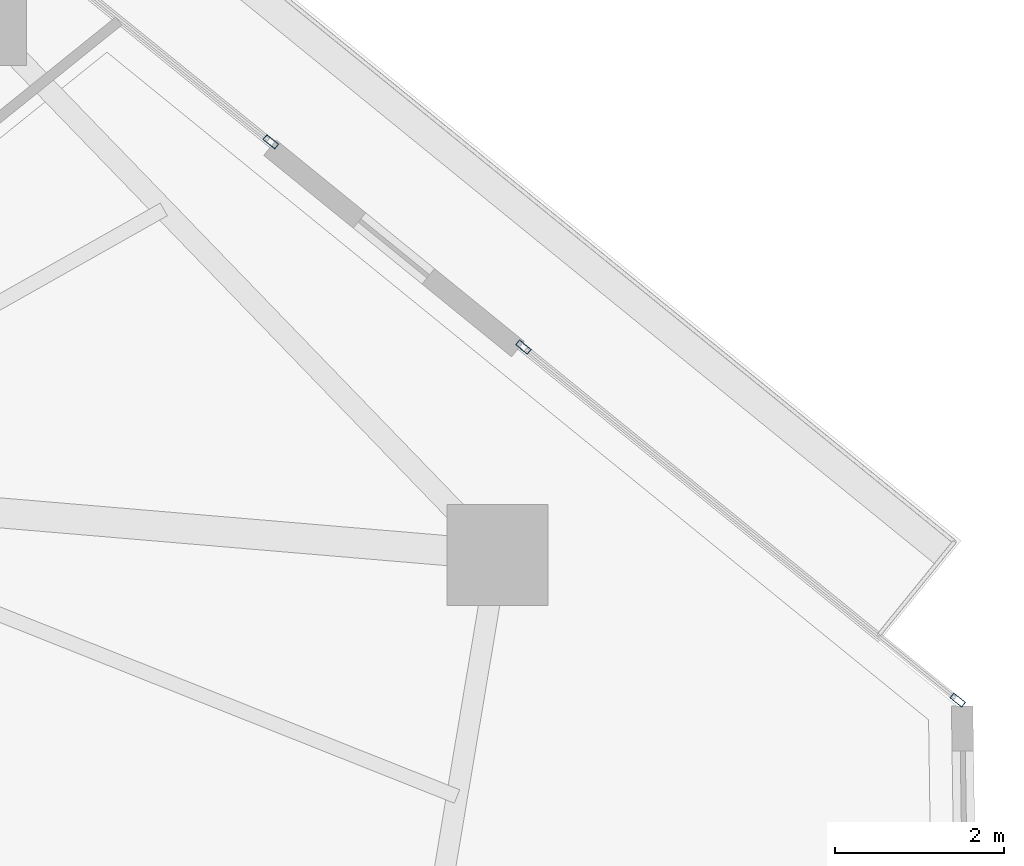
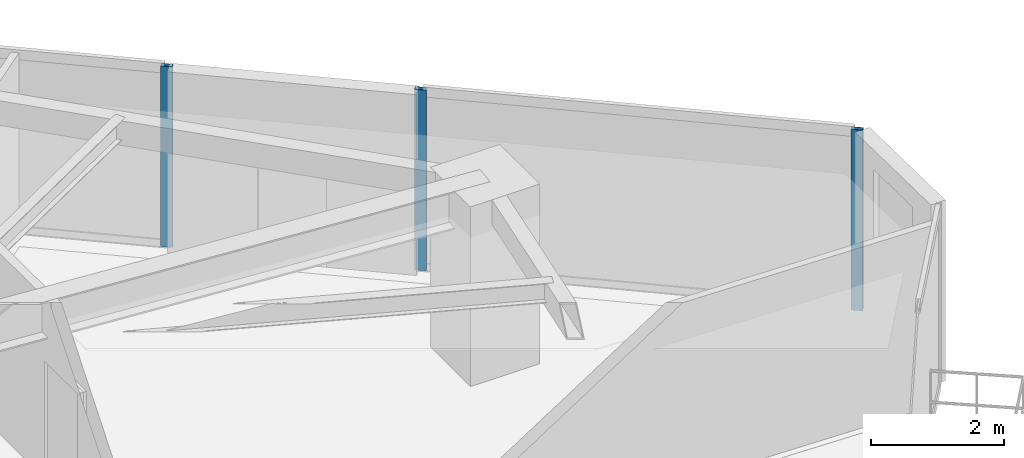
# One storey, part 14 of 23: 3 members, 2 elements without a shape of their own.
"""IFC4 building model written with IfcOpenShell, lengths in metres."""

from ifc_helpers import new_model, si_unit, direction, frame, origin, origin_2d, place, context, subcontext, project, spatial, hollow_rectangle, extrude, source, transform, mapped, material, layer, layer_set, material_profile, profile_set, type_object, type_shapes, element, aggregate, save


model = new_model("IFC4")

# Units and contexts
model_context = context("Model", 3, precision=1e-05, world=origin(), true_north=direction((0.0, 1.0)))
body_context = subcontext(model_context, "Body", "Model", "MODEL_VIEW")
ifc_project = project(units=[si_unit("LENGTHUNIT", "METRE"), si_unit("AREAUNIT", "SQUARE_METRE"), si_unit("VOLUMEUNIT", "CUBIC_METRE"), si_unit("PLANEANGLEUNIT", "RADIAN"), si_unit("MASSUNIT", "GRAM", prefix="KILO")], contexts=[model_context])

# Site, building, storey
site_placement = place(None, origin())
site = spatial("IfcSite", under=ifc_project, at=site_placement, CompositionType="ELEMENT")
building_placement = place(site_placement, origin())
building = spatial("IfcBuilding", under=site, at=building_placement, Name="Talar Marvaseh", CompositionType="ELEMENT")
storey_placement = place(building_placement, frame((0.0, 0.0, 118.199951171875)))
storey = spatial("IfcBuildingStorey", under=building, at=storey_placement, Name="L30", CompositionType="ELEMENT", Elevation=118.199951171875)

# Curtain wall, member
ifc_material = material(Name="Architectural Aluminium", Category="aluminium")
ifc_layer = layer(ifc_material, 0.199951171875)
ifc_layer_set = layer_set([ifc_layer], Name="Architectural Aluminium")
curtain_wall_type = type_object("IfcCurtainWallType", Name="Unitised Acoustic Library Curtain Wall Z2", PredefinedType="NOTDEFINED", material=ifc_layer_set)
curtain_wall_1_placement = place(storey_placement, origin())
curtain_wall_1 = element("IfcCurtainWall", 1, at=curtain_wall_1_placement, inside=storey, type_object=curtain_wall_type, Name="L30 Unitised Acoustic Library Curtain Wall Z2", PredefinedType="NOTDEFINED")
ifc_material_profile = material_profile(ifc_material, hollow_rectangle(XDim=0.074951171875, YDim=0.179931640625, WallThickness=0.0048828125, at=origin_2d()), Name="RHS180x75x5")
ifc_profile_set = profile_set([ifc_material_profile], Name="Architectural Aluminium")
member_type = type_object("IfcMemberType", Name="Unitised Curtain Wall Standard Mullion RHS180x75x5", PredefinedType="MULLION", material=ifc_profile_set)
shared_shape = source(origin(), body_context, "Body", "SweptSolid", [
    extrude(hollow_rectangle(XDim=0.074951171875, YDim=0.179931640625, WallThickness=0.0048828125, at=origin_2d()), origin(), (0.0, 0.0, 1.0), 3.31005859375),
])
type_shapes(member_type, [shared_shape])
member_1_placement = place(storey_placement, frame((40.357177734375, 40.969482421875, 0.0), z_axis=(0.0, 0.0, 1.0), x_axis=(0.630624629818, 0.776087995183, 0.0)))
member_1 = element("IfcMember", 2, at=member_1_placement, type_object=member_type, Name="CW-Z2 mullion 2", PredefinedType="MULLION", context=body_context, shape_type="MappedRepresentation", body=[
    mapped(shared_shape, transform((0.0, 0.0, 0.0), x_axis=(1.0, 0.0, 0.0), y_axis=(0.0, 1.0, 0.0), z_axis=(0.0, 0.0, 1.0), scale=1.0)),
])
aggregate(curtain_wall_1, [member_1])

# Curtain wall, members
curtain_wall_2_placement = place(storey_placement, origin())
curtain_wall_2 = element("IfcCurtainWall", 3, at=curtain_wall_2_placement, inside=storey, type_object=curtain_wall_type, Name="L30 Unitised Acoustic Library Curtain Wall Z2", PredefinedType="NOTDEFINED")
member_2_placement = place(storey_placement, frame((43.3505859375, 38.537109375, 0.0), z_axis=(0.0, 0.0, 1.0), x_axis=(0.630624629818, 0.776087995183, 0.0)))
member_2 = element("IfcMember", 4, at=member_2_placement, type_object=member_type, Name="CW-Z2 mullion 1", PredefinedType="MULLION", context=body_context, shape_type="MappedRepresentation", body=[
    mapped(shared_shape, transform((0.0, 0.0, 0.0), x_axis=(1.0, 0.0, 0.0), y_axis=(0.0, 1.0, 0.0), z_axis=(0.0, 0.0, 1.0), scale=1.0)),
])
member_3_placement = place(storey_placement, frame((48.495849609375, 34.356201171875, 0.0), z_axis=(0.0, 0.0, 1.0), x_axis=(0.630624629818, 0.776087995183, 0.0)))
member_3 = element("IfcMember", 5, at=member_3_placement, type_object=member_type, Name="CW-Z2 mullion 2", PredefinedType="MULLION", context=body_context, shape_type="MappedRepresentation", body=[
    mapped(shared_shape, transform((0.0, 0.0, 0.0), x_axis=(1.0, 0.0, 0.0), y_axis=(0.0, 1.0, 0.0), z_axis=(0.0, 0.0, 1.0), scale=1.0)),
])
aggregate(curtain_wall_2, [member_2, member_3])

save(model, "model.ifc")
